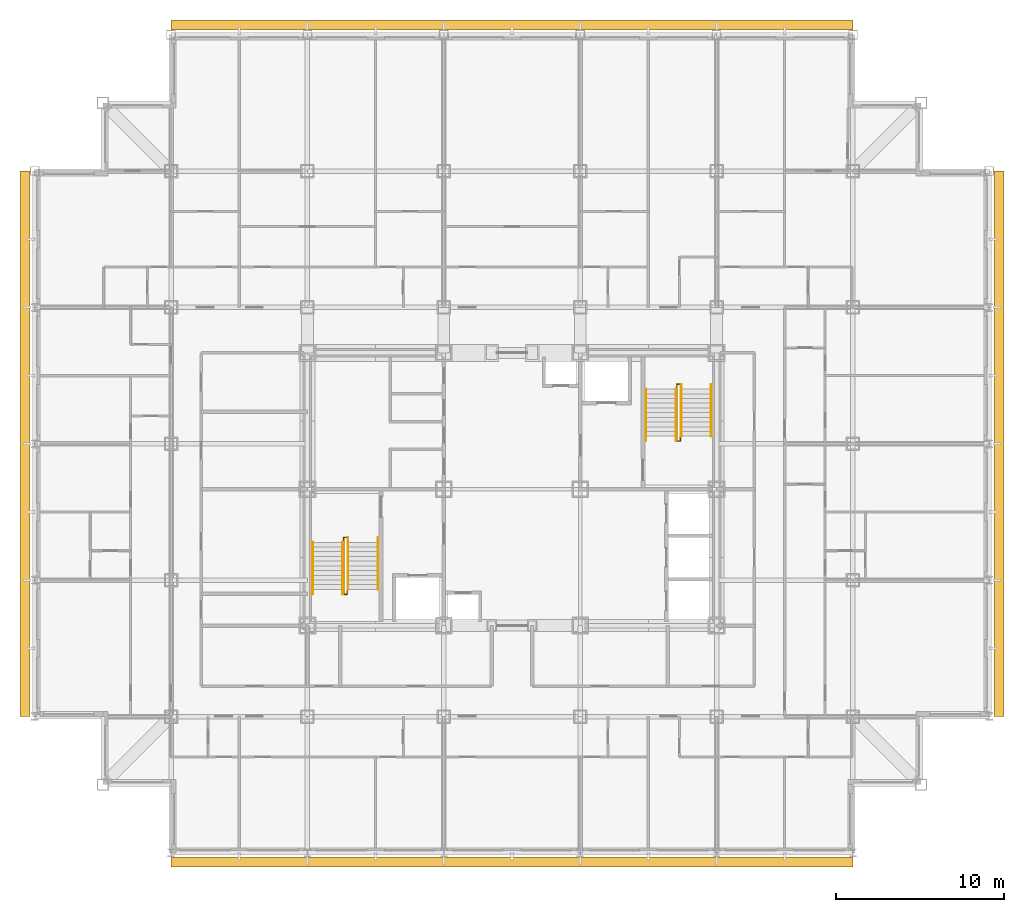
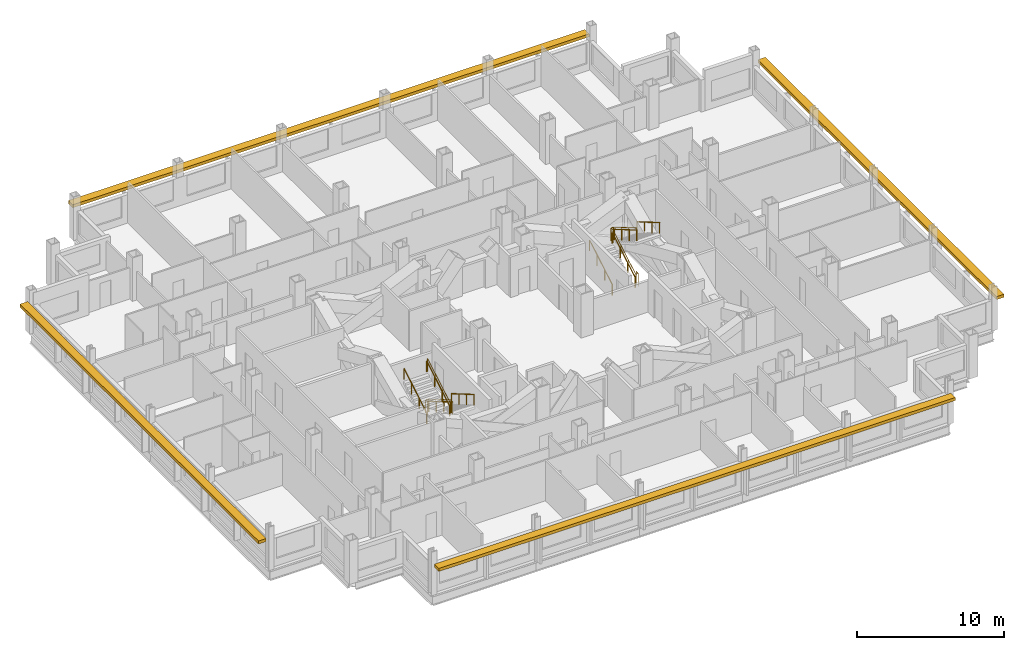
# One storey, part 12 of 12: 10 railings, 4 shading devices.
"""IFC4 building model written with IfcOpenShell, lengths in metres."""

from ifc_helpers import new_model, si_unit, direction, frame, origin, origin_2d, place, context, subcontext, project, spatial, rectangle, circle, extrude, material, type_object, element, save


model = new_model("IFC4")

# Units and contexts
model_context = context("Model", 3, precision=1e-05, world=origin(), true_north=direction((0.0, 1.0)))
body_context = subcontext(model_context, "Body", "Model", "MODEL_VIEW")
ifc_project = project(units=[si_unit("LENGTHUNIT", "METRE"), si_unit("AREAUNIT", "SQUARE_METRE"), si_unit("VOLUMEUNIT", "CUBIC_METRE"), si_unit("PLANEANGLEUNIT", "RADIAN"), si_unit("MASSUNIT", "GRAM", prefix="KILO")], contexts=[model_context])

# Site, building, storey
site_placement = place(None, origin())
site = spatial("IfcSite", under=ifc_project, at=site_placement, CompositionType="ELEMENT")
building_placement = place(site_placement, origin())
building = spatial("IfcBuilding", under=site, at=building_placement, Name="Kopane Lantern Tower", CompositionType="ELEMENT")
storey_placement = place(building_placement, frame((0.0, 0.0, 231.60009765625)))
storey = spatial("IfcBuildingStorey", under=building, at=storey_placement, Name="L60", CompositionType="ELEMENT", Elevation=231.60009765625)

# Railings
ifc_material_1 = material(Name="Steel", Category="steel")
railing_type_1 = type_object("IfcRailingType", Name="STAIR GUARD 1100", PredefinedType="GUARDRAIL", material=ifc_material_1)
railing_1_placement = place(storey_placement, frame((18.35009765625, 29.25, 0.0)))
element("IfcRailing", 1, at=railing_1_placement, inside=storey, type_object=railing_type_1, Name="ST1 well guard L60", PredefinedType="GUARDRAIL", context=body_context, shape_type="SweptSolid", body=[
    extrude(circle(Radius=0.02392578125, at=origin_2d()), frame((0.0, 0.0, 1.076171875), z_axis=(0.0, 1.0, 0.0), x_axis=(-1.0, 0.0, 0.0)), (0.0, 0.0, 1.0), 0.280029296875),
    extrude(circle(Radius=0.02392578125, at=origin_2d()), frame((0.0, 0.280029296875, 1.076171875), z_axis=(1.0, 0.0, 0.0), x_axis=(0.0, 1.0, 0.0)), (0.0, 0.0, 1.0), 0.199951171875),
    extrude(circle(Radius=0.02392578125, at=origin_2d()), frame((0.199951171875, 0.280029296875, 1.076171875), z_axis=(0.0, -0.863401368682, 0.504517667242), x_axis=(1.0, 0.0, 0.0)), (0.0, 0.0, 1.0), 3.5673828125),
    extrude(circle(Radius=0.02392578125, at=origin_2d()), frame((0.199951171875, -2.800048828125, 2.8759765625), z_axis=(0.0, -1.0, 0.0), x_axis=(1.0, 0.0, 0.0)), (0.0, 0.0, 1.0), 0.280029296875),
    extrude(circle(Radius=0.02392578125, at=origin_2d()), frame((0.199951171875, -3.080078125, 2.8759765625), z_axis=(-1.0, 0.0, 0.0), x_axis=(0.0, -1.0, 0.0)), (0.0, 0.0, 1.0), 0.199951171875),
    extrude(circle(Radius=0.02392578125, at=origin_2d()), frame((0.0, -3.080078125, 2.8759765625), z_axis=(0.0, 0.863371556955, 0.504568681787), x_axis=(-1.0, 0.0, 0.0)), (0.0, 0.0, 1.0), 3.5673828125),
    extrude(circle(Radius=0.02099609375, at=origin_2d()), origin(), (0.0, 0.0, 1.0), 1.052001953125),
    extrude(circle(Radius=0.02099609375, at=origin_2d()), frame((0.0, 0.280029296875, 0.0)), (0.0, 0.0, 1.0), 1.052001953125),
    extrude(circle(Radius=0.02099609375, at=origin_2d()), frame((0.199951171875, 0.280029296875, 0.0)), (0.0, 0.0, 1.0), 1.052001953125),
    extrude(circle(Radius=0.02099609375, at=origin_2d()), frame((0.199951171875, -0.74658203125, 0.599853515625)), (0.0, 0.0, 1.0), 1.052001953125),
    extrude(circle(Radius=0.02099609375, at=origin_2d()), frame((0.199951171875, -1.7734375, 1.199951171875)), (0.0, 0.0, 1.0), 1.052001953125),
    extrude(circle(Radius=0.02099609375, at=origin_2d()), frame((0.199951171875, -2.800048828125, 1.7998046875)), (0.0, 0.0, 1.0), 1.052001953125),
    extrude(circle(Radius=0.02099609375, at=origin_2d()), frame((0.199951171875, -3.080078125, 1.7998046875)), (0.0, 0.0, 1.0), 1.052001953125),
    extrude(circle(Radius=0.02099609375, at=origin_2d()), frame((0.0, -3.080078125, 1.7998046875)), (0.0, 0.0, 1.0), 1.052001953125),
    extrude(circle(Radius=0.02099609375, at=origin_2d()), frame((0.0, -2.053466796875, 2.39990234375)), (0.0, 0.0, 1.0), 1.052001953125),
    extrude(circle(Radius=0.02099609375, at=origin_2d()), frame((0.0, -1.026611328125, 2.999755859375)), (0.0, 0.0, 1.0), 1.052001953125),
    extrude(circle(Radius=0.02099609375, at=origin_2d()), frame((0.0, 0.0, 3.599853515625)), (0.0, 0.0, 1.0), 1.052001953125),
])
railing_2_placement = place(storey_placement, frame((38.35009765625, 35.550048828125, 0.0)))
element("IfcRailing", 2, at=railing_2_placement, inside=storey, type_object=railing_type_1, Name="ST2 well guard L60", PredefinedType="GUARDRAIL", context=body_context, shape_type="SweptSolid", body=[
    extrude(circle(Radius=0.02392578125, at=origin_2d()), frame((0.0, 0.0, 1.076171875), z_axis=(0.0, -1.0, 0.0), x_axis=(1.0, 0.0, 0.0)), (0.0, 0.0, 1.0), 0.280029296875),
    extrude(circle(Radius=0.02392578125, at=origin_2d()), frame((0.0, -0.280029296875, 1.076171875), z_axis=(-1.0, 0.0, 0.0), x_axis=(0.0, -1.0, 0.0)), (0.0, 0.0, 1.0), 0.2001953125),
    extrude(circle(Radius=0.02392578125, at=origin_2d()), frame((-0.2001953125, -0.280029296875, 1.076171875), z_axis=(0.0, 0.863401368682, 0.504517667242), x_axis=(-1.0, 0.0, 0.0)), (0.0, 0.0, 1.0), 3.5673828125),
    extrude(circle(Radius=0.02392578125, at=origin_2d()), frame((-0.2001953125, 2.800048828125, 2.8759765625), z_axis=(0.0, 1.0, 0.0), x_axis=(-1.0, 0.0, 0.0)), (0.0, 0.0, 1.0), 0.27978515625),
    extrude(circle(Radius=0.02392578125, at=origin_2d()), frame((-0.2001953125, 3.079833984375, 2.8759765625), z_axis=(1.0, 0.0, 0.0), x_axis=(0.0, 1.0, 0.0)), (0.0, 0.0, 1.0), 0.2001953125),
    extrude(circle(Radius=0.02392578125, at=origin_2d()), frame((0.0, 3.079833984375, 2.8759765625), z_axis=(0.0, -0.863354132664, 0.504598495452), x_axis=(1.0, 0.0, 0.0)), (0.0, 0.0, 1.0), 3.5673828125),
    extrude(circle(Radius=0.02099609375, at=origin_2d()), origin(), (0.0, 0.0, 1.0), 1.052001953125),
    extrude(circle(Radius=0.02099609375, at=origin_2d()), frame((0.0, -0.280029296875, 0.0)), (0.0, 0.0, 1.0), 1.052001953125),
    extrude(circle(Radius=0.02099609375, at=origin_2d()), frame((-0.2001953125, -0.280029296875, 0.0)), (0.0, 0.0, 1.0), 1.052001953125),
    extrude(circle(Radius=0.02099609375, at=origin_2d()), frame((-0.2001953125, 0.74658203125, 0.599853515625)), (0.0, 0.0, 1.0), 1.052001953125),
    extrude(circle(Radius=0.02099609375, at=origin_2d()), frame((-0.2001953125, 1.7734375, 1.199951171875)), (0.0, 0.0, 1.0), 1.052001953125),
    extrude(circle(Radius=0.02099609375, at=origin_2d()), frame((-0.2001953125, 2.800048828125, 1.7998046875)), (0.0, 0.0, 1.0), 1.052001953125),
    extrude(circle(Radius=0.02099609375, at=origin_2d()), frame((-0.2001953125, 3.079833984375, 1.7998046875)), (0.0, 0.0, 1.0), 1.052001953125),
    extrude(circle(Radius=0.02099609375, at=origin_2d()), frame((0.0, 3.079833984375, 1.7998046875)), (0.0, 0.0, 1.0), 1.052001953125),
    extrude(circle(Radius=0.02099609375, at=origin_2d()), frame((0.0, 2.05322265625, 2.39990234375)), (0.0, 0.0, 1.0), 1.052001953125),
    extrude(circle(Radius=0.02099609375, at=origin_2d()), frame((0.0, 1.026611328125, 2.999755859375)), (0.0, 0.0, 1.0), 1.052001953125),
    extrude(circle(Radius=0.02099609375, at=origin_2d()), frame((0.0, 0.0, 3.599853515625)), (0.0, 0.0, 1.0), 1.052001953125),
])
ifc_material_2 = material(Name="Steel", Category="steel")
railing_type_2 = type_object("IfcRailingType", Name="STAIR HANDRAIL 900", PredefinedType="HANDRAIL", material=ifc_material_2)
for number, where, name in (
    (3, (20.389892578125, 29.530029296875, 0.0), "ST1 handrail L60 flight 1"),
    (4, (18.610107421875, 29.530029296875, 0.0), "ST1 handrail L60 flight 1"),
):
    element("IfcRailing", number, at=place(storey_placement, frame(where)), inside=storey, type_object=railing_type_2, Name=name, PredefinedType="HANDRAIL", context=body_context, shape_type="SweptSolid", body=[
        extrude(circle(Radius=0.02392578125, at=origin_2d()), frame((0.0, 0.0, 0.8759765625), z_axis=(0.0, -0.863401368682, 0.504517667242), x_axis=(1.0, 0.0, 0.0)), (0.0, 0.0, 1.0), 3.5673828125),
        extrude(circle(Radius=0.02099609375, at=origin_2d()), origin(), (0.0, 0.0, 1.0), 0.851806640625),
        extrude(circle(Radius=0.02099609375, at=origin_2d()), frame((0.0, -1.026611328125, 0.599853515625)), (0.0, 0.0, 1.0), 0.851806640625),
        extrude(circle(Radius=0.02099609375, at=origin_2d()), frame((0.0, -2.053466796875, 1.199951171875)), (0.0, 0.0, 1.0), 0.851806640625),
        extrude(circle(Radius=0.02099609375, at=origin_2d()), frame((0.0, -3.080078125, 1.7998046875)), (0.0, 0.0, 1.0), 0.851806640625),
    ])
for number, where, name in (
    (5, (16.510009765625, 26.169921875, 1.7998046875), "ST1 handrail L60 flight 2"),
    (6, (18.2900390625, 26.169921875, 1.7998046875), "ST1 handrail L60 flight 2"),
):
    element("IfcRailing", number, at=place(storey_placement, frame(where)), inside=storey, type_object=railing_type_2, Name=name, PredefinedType="HANDRAIL", context=body_context, shape_type="SweptSolid", body=[
        extrude(circle(Radius=0.02392578125, at=origin_2d()), frame((0.0, 0.0, 0.8759765625), z_axis=(0.0, 0.863371556955, 0.504568681787), x_axis=(-1.0, 0.0, 0.0)), (0.0, 0.0, 1.0), 3.5673828125),
        extrude(circle(Radius=0.02099609375, at=origin_2d()), origin(), (0.0, 0.0, 1.0), 0.851806640625),
        extrude(circle(Radius=0.02099609375, at=origin_2d()), frame((0.0, 1.026611328125, 0.60009765625)), (0.0, 0.0, 1.0), 0.851806640625),
        extrude(circle(Radius=0.02099609375, at=origin_2d()), frame((0.0, 2.053466796875, 1.199951171875)), (0.0, 0.0, 1.0), 0.851806640625),
        extrude(circle(Radius=0.02099609375, at=origin_2d()), frame((0.0, 3.080078125, 1.800048828125)), (0.0, 0.0, 1.0), 0.851806640625),
    ])
for number, where, name in (
    (7, (36.31005859375, 35.27001953125, 0.0), "ST2 handrail L60 flight 1"),
    (8, (38.090087890625, 35.27001953125, 0.0), "ST2 handrail L60 flight 1"),
):
    element("IfcRailing", number, at=place(storey_placement, frame(where)), inside=storey, type_object=railing_type_2, Name=name, PredefinedType="HANDRAIL", context=body_context, shape_type="SweptSolid", body=[
        extrude(circle(Radius=0.02392578125, at=origin_2d()), frame((0.0, 0.0, 0.8759765625), z_axis=(0.0, 0.863401368682, 0.504517667242), x_axis=(-1.0, 0.0, 0.0)), (0.0, 0.0, 1.0), 3.5673828125),
        extrude(circle(Radius=0.02099609375, at=origin_2d()), origin(), (0.0, 0.0, 1.0), 0.851806640625),
        extrude(circle(Radius=0.02099609375, at=origin_2d()), frame((0.0, 1.026611328125, 0.599853515625)), (0.0, 0.0, 1.0), 0.851806640625),
        extrude(circle(Radius=0.02099609375, at=origin_2d()), frame((0.0, 2.053466796875, 1.199951171875)), (0.0, 0.0, 1.0), 0.851806640625),
        extrude(circle(Radius=0.02099609375, at=origin_2d()), frame((0.0, 3.080078125, 1.7998046875)), (0.0, 0.0, 1.0), 0.851806640625),
    ])
for number, where, name in (
    (9, (40.18994140625, 38.6298828125, 1.7998046875), "ST2 handrail L60 flight 2"),
    (10, (38.409912109375, 38.6298828125, 1.7998046875), "ST2 handrail L60 flight 2"),
):
    element("IfcRailing", number, at=place(storey_placement, frame(where)), inside=storey, type_object=railing_type_2, Name=name, PredefinedType="HANDRAIL", context=body_context, shape_type="SweptSolid", body=[
        extrude(circle(Radius=0.02392578125, at=origin_2d()), frame((0.0, 0.0, 0.8759765625), z_axis=(0.0, -0.863354132664, 0.504598495452), x_axis=(1.0, 0.0, 0.0)), (0.0, 0.0, 1.0), 3.5673828125),
        extrude(circle(Radius=0.02099609375, at=origin_2d()), origin(), (0.0, 0.0, 1.0), 0.851806640625),
        extrude(circle(Radius=0.02099609375, at=origin_2d()), frame((0.0, -1.026611328125, 0.60009765625)), (0.0, 0.0, 1.0), 0.851806640625),
        extrude(circle(Radius=0.02099609375, at=origin_2d()), frame((0.0, -2.05322265625, 1.199951171875)), (0.0, 0.0, 1.0), 0.851806640625),
        extrude(circle(Radius=0.02099609375, at=origin_2d()), frame((0.0, -3.079833984375, 1.800048828125)), (0.0, 0.0, 1.0), 0.851806640625),
    ])

# Shading devices
ifc_material_3 = material(Name="Terracotta rainscreen on light steel framing", Category="masonry")
shading_device_type = type_object("IfcShadingDeviceType", Name="SUNSHADE BAND SB1 600 TERRACOTTA", PredefinedType="USERDEFINED", material=ifc_material_3)
shading_device_1_placement = place(storey_placement, frame((28.35009765625, 10.2626953125, 2.2998046875), z_axis=(0.0, 0.0, 1.0), x_axis=(1.0, 0.0, 0.0)))
element("IfcShadingDevice", 11, at=shading_device_1_placement, inside=storey, type_object=shading_device_type, Name="Sunshade band S L60", ObjectType="SUNSHADE BAND", PredefinedType="USERDEFINED", context=body_context, shape_type="SweptSolid", body=[
    extrude(rectangle(XDim=40.5, YDim=0.60009765625, at=origin_2d()), origin(), (0.0, 0.0, 1.0), 0.25),
])
shading_device_2_placement = place(storey_placement, frame((57.27490234375, 35.10009765625, 2.2998046875), z_axis=(0.0, 0.0, 1.0), x_axis=(0.0, 1.0, 0.0)))
element("IfcShadingDevice", 12, at=shading_device_2_placement, inside=storey, type_object=shading_device_type, Name="Sunshade band E L60", ObjectType="SUNSHADE BAND", PredefinedType="USERDEFINED", context=body_context, shape_type="SweptSolid", body=[
    extrude(rectangle(XDim=32.39990234375, YDim=0.60009765625, at=origin_2d()), origin(), (0.0, 0.0, 1.0), 0.25),
])
shading_device_3_placement = place(storey_placement, frame((28.35009765625, 59.97509765625, 2.2998046875), z_axis=(0.0, 0.0, 1.0), x_axis=(-1.0, 0.0, 0.0)))
element("IfcShadingDevice", 13, at=shading_device_3_placement, inside=storey, type_object=shading_device_type, Name="Sunshade band N L60", ObjectType="SUNSHADE BAND", PredefinedType="USERDEFINED", context=body_context, shape_type="SweptSolid", body=[
    extrude(rectangle(XDim=40.5, YDim=0.60009765625, at=origin_2d()), origin(), (0.0, 0.0, 1.0), 0.25),
])
shading_device_4_placement = place(storey_placement, frame((-0.574951171875, 35.10009765625, 2.2998046875), z_axis=(0.0, 0.0, 1.0), x_axis=(0.0, -1.0, 0.0)))
element("IfcShadingDevice", 14, at=shading_device_4_placement, inside=storey, type_object=shading_device_type, Name="Sunshade band W L60", ObjectType="SUNSHADE BAND", PredefinedType="USERDEFINED", context=body_context, shape_type="SweptSolid", body=[
    extrude(rectangle(XDim=32.39990234375, YDim=0.60009765625, at=origin_2d()), origin(), (0.0, 0.0, 1.0), 0.25),
])

save(model, "model.ifc")
